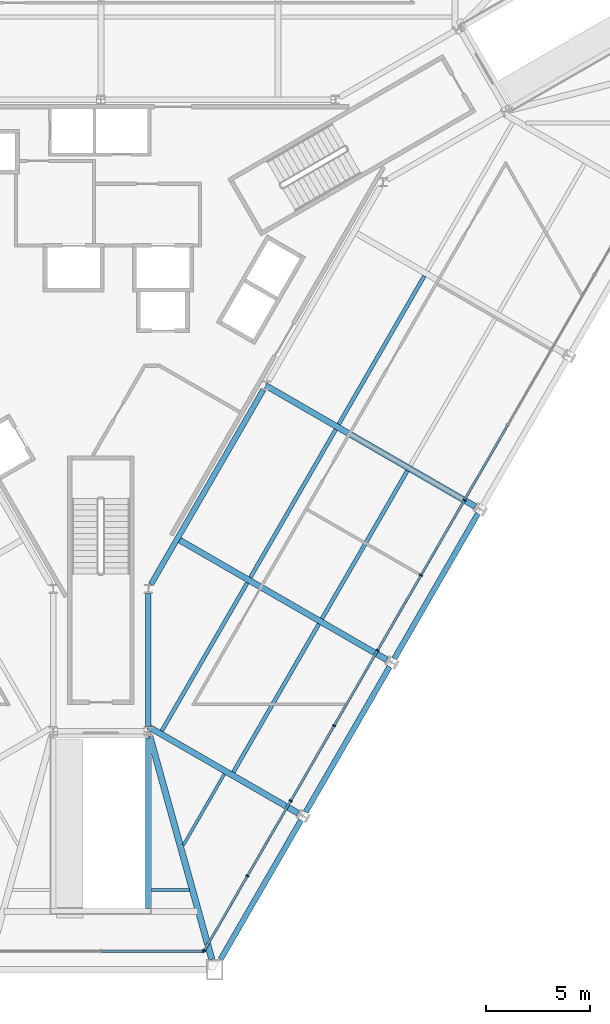
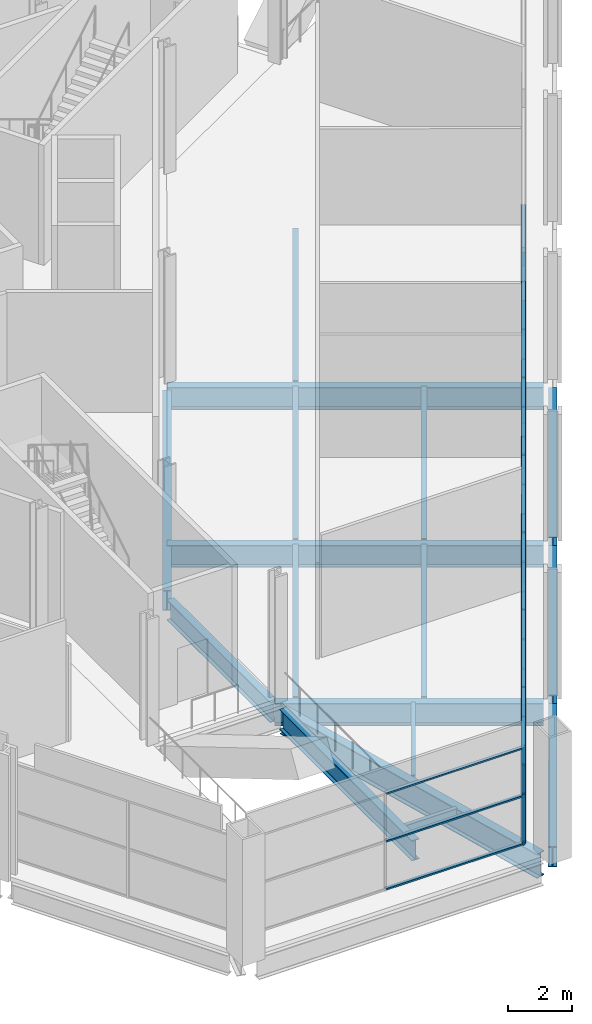
# One storey, part 4 of 18: 32 members, 17 beams, 2 elements without a shape of their own.
"""IFC4 building model written with IfcOpenShell, lengths in metres."""

from ifc_helpers import new_model, si_unit, direction, frame, origin, origin_2d, place, context, subcontext, project, spatial, rectangle, i_section, extrude, material, layer, layer_set, material_profile, profile_set, type_object, element, aggregate, save


model = new_model("IFC4")

# Units and contexts
model_context = context("Model", 3, precision=1e-05, world=origin(), true_north=direction((0.0, 1.0)))
body_context = subcontext(model_context, "Body", "Model", "MODEL_VIEW")
ifc_project = project(units=[si_unit("LENGTHUNIT", "METRE"), si_unit("AREAUNIT", "SQUARE_METRE"), si_unit("VOLUMEUNIT", "CUBIC_METRE"), si_unit("PLANEANGLEUNIT", "RADIAN"), si_unit("MASSUNIT", "GRAM", prefix="KILO")], contexts=[model_context])

# Site, building, storey
site_placement = place(None, origin())
site = spatial("IfcSite", under=ifc_project, at=site_placement, CompositionType="ELEMENT")
building_placement = place(site_placement, origin())
building = spatial("IfcBuilding", under=site, at=building_placement, Name="Verrane Prism Tower", CompositionType="ELEMENT")
storey_placement = place(building_placement, frame((0.0, 0.0, 22.39990234375)))
storey = spatial("IfcBuildingStorey", under=building, at=storey_placement, Name="L03", CompositionType="ELEMENT", Elevation=22.39990234375)

# Curtain wall, member
ifc_material_1 = material(Name="Aluminium and glass curtain wall", Category="aluminium")
ifc_layer = layer(ifc_material_1, 0.199951171875)
ifc_layer_set = layer_set([ifc_layer], Name="CWB-1 retail curtain wall")
curtain_wall_type = type_object("IfcCurtainWallType", Name="CWB-1 retail curtain wall", PredefinedType="NOTDEFINED", material=ifc_layer_set)
curtain_wall_1_placement = place(storey_placement, origin())
curtain_wall_1 = element("IfcCurtainWall", 1, at=curtain_wall_1_placement, inside=storey, type_object=curtain_wall_type, Name="Retail curtain wall L03 5", PredefinedType="NOTDEFINED")
ifc_material_2 = material(Name="Aluminium", Category="aluminium")
ifc_material_profile_1 = material_profile(ifc_material_2, rectangle(XDim=0.159912109375, YDim=0.06005859375, at=origin_2d()), Name="CWB-M 60x160 mullion")
ifc_profile_set_1 = profile_set([ifc_material_profile_1], Name="Aluminium")
member_type_1 = type_object("IfcMemberType", Name="CWB-M 60x160 mullion", PredefinedType="MULLION", material=ifc_profile_set_1)
member_1_placement = place(storey_placement, frame((4.950439453125, -31.913818359375, 0.0), z_axis=(0.0, 0.0, 1.0), x_axis=(0.0, 1.0, 0.0)))
member_1 = element("IfcMember", 2, at=member_1_placement, type_object=member_type_1, Name="CWB35 mullion 3", PredefinedType="MULLION", context=body_context, shape_type="SweptSolid", body=[
    extrude(rectangle(XDim=0.159912109375, YDim=0.06005859375, at=origin_2d()), origin(), (0.0, 0.0, 1.0), 3.690185546875),
])

# Curtain wall, members
curtain_wall_2_placement = place(storey_placement, origin())
curtain_wall_2 = element("IfcCurtainWall", 3, at=curtain_wall_2_placement, inside=storey, type_object=curtain_wall_type, Name="Retail curtain wall L03 6", PredefinedType="NOTDEFINED")
member_2_placement = place(storey_placement, frame((4.995361328125, -31.8876953125, 0.0), z_axis=(0.0, 0.0, 1.0), x_axis=(-0.866025335097, 0.50000011897, 0.0)))
member_2 = element("IfcMember", 4, at=member_2_placement, type_object=member_type_1, Name="CWB36 mullion 1", PredefinedType="MULLION", context=body_context, shape_type="SweptSolid", body=[
    extrude(rectangle(XDim=0.159912109375, YDim=0.06005859375, at=origin_2d()), origin(), (0.0, 0.0, 1.0), 3.690185546875),
])
member_3_placement = place(storey_placement, frame((7.075927734375, -28.283935546875, 0.0), z_axis=(0.0, 0.0, 1.0), x_axis=(-0.866025335097, 0.50000011897, 0.0)))
member_3 = element("IfcMember", 5, at=member_3_placement, type_object=member_type_1, Name="CWB36 mullion 2", PredefinedType="MULLION", context=body_context, shape_type="SweptSolid", body=[
    extrude(rectangle(XDim=0.159912109375, YDim=0.06005859375, at=origin_2d()), origin(), (0.0, 0.0, 1.0), 3.690185546875),
])
member_4_placement = place(storey_placement, frame((9.171630859375, -24.654052734375, 0.0), z_axis=(0.0, 0.0, 1.0), x_axis=(-0.866025335097, 0.50000011897, 0.0)))
member_4 = element("IfcMember", 6, at=member_4_placement, type_object=member_type_1, Name="CWB36 mullion 3", PredefinedType="MULLION", context=body_context, shape_type="SweptSolid", body=[
    extrude(rectangle(XDim=0.159912109375, YDim=0.06005859375, at=origin_2d()), origin(), (0.0, 0.0, 1.0), 3.690185546875),
])
member_5_placement = place(storey_placement, frame((11.267333984375, -21.0244140625, 0.0), z_axis=(0.0, 0.0, 1.0), x_axis=(-0.866025335097, 0.50000011897, 0.0)))
member_5 = element("IfcMember", 7, at=member_5_placement, type_object=member_type_1, Name="CWB36 mullion 4", PredefinedType="MULLION", context=body_context, shape_type="SweptSolid", body=[
    extrude(rectangle(XDim=0.159912109375, YDim=0.06005859375, at=origin_2d()), origin(), (0.0, 0.0, 1.0), 3.690185546875),
])
member_6_placement = place(storey_placement, frame((13.363037109375, -17.39453125, 0.0), z_axis=(0.0, 0.0, 1.0), x_axis=(-0.866025335097, 0.50000011897, 0.0)))
member_6 = element("IfcMember", 8, at=member_6_placement, type_object=member_type_1, Name="CWB36 mullion 5", PredefinedType="MULLION", context=body_context, shape_type="SweptSolid", body=[
    extrude(rectangle(XDim=0.159912109375, YDim=0.06005859375, at=origin_2d()), origin(), (0.0, 0.0, 1.0), 3.690185546875),
])
member_7_placement = place(storey_placement, frame((15.458740234375, -13.764892578125, 0.0), z_axis=(0.0, 0.0, 1.0), x_axis=(-0.866025335097, 0.50000011897, 0.0)))
member_7 = element("IfcMember", 9, at=member_7_placement, type_object=member_type_1, Name="CWB36 mullion 6", PredefinedType="MULLION", context=body_context, shape_type="SweptSolid", body=[
    extrude(rectangle(XDim=0.159912109375, YDim=0.06005859375, at=origin_2d()), origin(), (0.0, 0.0, 1.0), 3.690185546875),
])
member_8_placement = place(storey_placement, frame((17.554443359375, -10.135009765625, 0.0), z_axis=(0.0, 0.0, 1.0), x_axis=(-0.866025335097, 0.50000011897, 0.0)))
member_8 = element("IfcMember", 10, at=member_8_placement, type_object=member_type_1, Name="CWB36 mullion 7", PredefinedType="MULLION", context=body_context, shape_type="SweptSolid", body=[
    extrude(rectangle(XDim=0.159912109375, YDim=0.06005859375, at=origin_2d()), origin(), (0.0, 0.0, 1.0), 3.690185546875),
])

# Member
ifc_material_3 = material(Name="Aluminium", Category="aluminium")
ifc_material_profile_2 = material_profile(ifc_material_3, rectangle(XDim=0.1201171875, YDim=0.06005859375, at=origin_2d()), Name="CWB-T 60x120 transom")
ifc_profile_set_2 = profile_set([ifc_material_profile_2], Name="Aluminium")
member_type_2 = type_object("IfcMemberType", Name="CWB-T 60x120 transom", PredefinedType="USERDEFINED", material=ifc_profile_set_2)
member_9_placement = place(storey_placement, frame((0.030029296875, -31.913818359375, 0.030029296875), z_axis=(1.0, 0.0, 0.0), x_axis=(0.0, 1.0, 0.0)))
member_9 = element("IfcMember", 11, at=member_9_placement, type_object=member_type_2, Name="CWB35 transom 2.1", ObjectType="TRANSOM", PredefinedType="USERDEFINED", context=body_context, shape_type="SweptSolid", body=[
    extrude(rectangle(XDim=0.1201171875, YDim=0.06005859375, at=origin_2d()), origin(), (0.0, 0.0, 1.0), 4.890380859375),
])

member_10_placement = place(storey_placement, frame((0.030029296875, -31.913818359375, 1.84521484375), z_axis=(1.0, 0.0, 0.0), x_axis=(0.0, 1.0, 0.0)))
member_10 = element("IfcMember", 12, at=member_10_placement, type_object=member_type_2, Name="CWB35 transom 2.2", ObjectType="TRANSOM", PredefinedType="USERDEFINED", context=body_context, shape_type="SweptSolid", body=[
    extrude(rectangle(XDim=0.1201171875, YDim=0.06005859375, at=origin_2d()), origin(), (0.0, 0.0, 1.0), 4.890380859375),
])

member_11_placement = place(storey_placement, frame((0.030029296875, -31.913818359375, 3.66015625), z_axis=(1.0, 0.0, 0.0), x_axis=(0.0, 1.0, 0.0)))
member_11 = element("IfcMember", 13, at=member_11_placement, type_object=member_type_2, Name="CWB35 transom 2.3", ObjectType="TRANSOM", PredefinedType="USERDEFINED", context=body_context, shape_type="SweptSolid", body=[
    extrude(rectangle(XDim=0.1201171875, YDim=0.06005859375, at=origin_2d()), origin(), (0.0, 0.0, 1.0), 4.890380859375),
])

aggregate(curtain_wall_1, [member_1, member_9, member_10, member_11])

member_12_placement = place(storey_placement, frame((5.010498046875, -31.86181640625, 0.030029296875), z_axis=(0.499961200281, 0.866047803654, 0.0), x_axis=(-0.866047803654, 0.499961200281, 0.0)))
member_12 = element("IfcMember", 14, at=member_12_placement, type_object=member_type_2, Name="CWB36 transom 1.1", ObjectType="TRANSOM", PredefinedType="USERDEFINED", context=body_context, shape_type="SweptSolid", body=[
    extrude(rectangle(XDim=0.1201171875, YDim=0.06005859375, at=origin_2d()), origin(), (0.0, 0.0, 1.0), 4.101318359375),
])

member_13_placement = place(storey_placement, frame((5.010498046875, -31.86181640625, 1.84521484375), z_axis=(0.499961200281, 0.866047803654, 0.0), x_axis=(-0.866047803654, 0.499961200281, 0.0)))
member_13 = element("IfcMember", 15, at=member_13_placement, type_object=member_type_2, Name="CWB36 transom 1.2", ObjectType="TRANSOM", PredefinedType="USERDEFINED", context=body_context, shape_type="SweptSolid", body=[
    extrude(rectangle(XDim=0.1201171875, YDim=0.06005859375, at=origin_2d()), origin(), (0.0, 0.0, 1.0), 4.101318359375),
])

member_14_placement = place(storey_placement, frame((5.010498046875, -31.86181640625, 3.66015625), z_axis=(0.499961200281, 0.866047803654, 0.0), x_axis=(-0.866047803654, 0.499961200281, 0.0)))
member_14 = element("IfcMember", 16, at=member_14_placement, type_object=member_type_2, Name="CWB36 transom 1.3", ObjectType="TRANSOM", PredefinedType="USERDEFINED", context=body_context, shape_type="SweptSolid", body=[
    extrude(rectangle(XDim=0.1201171875, YDim=0.06005859375, at=origin_2d()), origin(), (0.0, 0.0, 1.0), 4.101318359375),
])

member_15_placement = place(storey_placement, frame((7.091064453125, -28.258056640625, 0.030029296875), z_axis=(0.499996977546, 0.866027148792, 0.0), x_axis=(-0.866027148792, 0.499996977546, 0.0)))
member_15 = element("IfcMember", 17, at=member_15_placement, type_object=member_type_2, Name="CWB36 transom 2.1", ObjectType="TRANSOM", PredefinedType="USERDEFINED", context=body_context, shape_type="SweptSolid", body=[
    extrude(rectangle(XDim=0.1201171875, YDim=0.06005859375, at=origin_2d()), origin(), (0.0, 0.0, 1.0), 4.13134765625),
])

member_16_placement = place(storey_placement, frame((7.091064453125, -28.258056640625, 1.84521484375), z_axis=(0.499996977546, 0.866027148792, 0.0), x_axis=(-0.866027148792, 0.499996977546, 0.0)))
member_16 = element("IfcMember", 18, at=member_16_placement, type_object=member_type_2, Name="CWB36 transom 2.2", ObjectType="TRANSOM", PredefinedType="USERDEFINED", context=body_context, shape_type="SweptSolid", body=[
    extrude(rectangle(XDim=0.1201171875, YDim=0.06005859375, at=origin_2d()), origin(), (0.0, 0.0, 1.0), 4.13134765625),
])

member_17_placement = place(storey_placement, frame((7.091064453125, -28.258056640625, 3.66015625), z_axis=(0.499996977546, 0.866027148792, 0.0), x_axis=(-0.866027148792, 0.499996977546, 0.0)))
member_17 = element("IfcMember", 19, at=member_17_placement, type_object=member_type_2, Name="CWB36 transom 2.3", ObjectType="TRANSOM", PredefinedType="USERDEFINED", context=body_context, shape_type="SweptSolid", body=[
    extrude(rectangle(XDim=0.1201171875, YDim=0.06005859375, at=origin_2d()), origin(), (0.0, 0.0, 1.0), 4.13134765625),
])

member_18_placement = place(storey_placement, frame((9.186767578125, -24.628173828125, 0.030029296875), z_axis=(0.499996977546, 0.866027148792, 0.0), x_axis=(-0.866027148792, 0.499996977546, 0.0)))
member_18 = element("IfcMember", 20, at=member_18_placement, type_object=member_type_2, Name="CWB36 transom 3.1", ObjectType="TRANSOM", PredefinedType="USERDEFINED", context=body_context, shape_type="SweptSolid", body=[
    extrude(rectangle(XDim=0.1201171875, YDim=0.06005859375, at=origin_2d()), origin(), (0.0, 0.0, 1.0), 4.13134765625),
])

member_19_placement = place(storey_placement, frame((9.186767578125, -24.628173828125, 1.84521484375), z_axis=(0.499996977546, 0.866027148792, 0.0), x_axis=(-0.866027148792, 0.499996977546, 0.0)))
member_19 = element("IfcMember", 21, at=member_19_placement, type_object=member_type_2, Name="CWB36 transom 3.2", ObjectType="TRANSOM", PredefinedType="USERDEFINED", context=body_context, shape_type="SweptSolid", body=[
    extrude(rectangle(XDim=0.1201171875, YDim=0.06005859375, at=origin_2d()), origin(), (0.0, 0.0, 1.0), 4.13134765625),
])

member_20_placement = place(storey_placement, frame((9.186767578125, -24.628173828125, 3.66015625), z_axis=(0.499996977546, 0.866027148792, 0.0), x_axis=(-0.866027148792, 0.499996977546, 0.0)))
member_20 = element("IfcMember", 22, at=member_20_placement, type_object=member_type_2, Name="CWB36 transom 3.3", ObjectType="TRANSOM", PredefinedType="USERDEFINED", context=body_context, shape_type="SweptSolid", body=[
    extrude(rectangle(XDim=0.1201171875, YDim=0.06005859375, at=origin_2d()), origin(), (0.0, 0.0, 1.0), 4.13134765625),
])

member_21_placement = place(storey_placement, frame((11.282470703125, -20.998291015625, 0.030029296875), z_axis=(0.499978243488, 0.866037964548, 0.0), x_axis=(-0.866037964548, 0.499978243488, 0.0)))
member_21 = element("IfcMember", 23, at=member_21_placement, type_object=member_type_2, Name="CWB36 transom 4.1", ObjectType="TRANSOM", PredefinedType="USERDEFINED", context=body_context, shape_type="SweptSolid", body=[
    extrude(rectangle(XDim=0.1201171875, YDim=0.06005859375, at=origin_2d()), origin(), (0.0, 0.0, 1.0), 4.131103515625),
])

member_22_placement = place(storey_placement, frame((11.282470703125, -20.998291015625, 1.84521484375), z_axis=(0.499978243488, 0.866037964548, 0.0), x_axis=(-0.866037964548, 0.499978243488, 0.0)))
member_22 = element("IfcMember", 24, at=member_22_placement, type_object=member_type_2, Name="CWB36 transom 4.2", ObjectType="TRANSOM", PredefinedType="USERDEFINED", context=body_context, shape_type="SweptSolid", body=[
    extrude(rectangle(XDim=0.1201171875, YDim=0.06005859375, at=origin_2d()), origin(), (0.0, 0.0, 1.0), 4.131103515625),
])

member_23_placement = place(storey_placement, frame((11.282470703125, -20.998291015625, 3.66015625), z_axis=(0.499978243488, 0.866037964548, 0.0), x_axis=(-0.866037964548, 0.499978243488, 0.0)))
member_23 = element("IfcMember", 25, at=member_23_placement, type_object=member_type_2, Name="CWB36 transom 4.3", ObjectType="TRANSOM", PredefinedType="USERDEFINED", context=body_context, shape_type="SweptSolid", body=[
    extrude(rectangle(XDim=0.1201171875, YDim=0.06005859375, at=origin_2d()), origin(), (0.0, 0.0, 1.0), 4.131103515625),
])

member_24_placement = place(storey_placement, frame((13.3779296875, -17.36865234375, 0.030029296875), z_axis=(0.499996977546, 0.866027148792, 0.0), x_axis=(-0.866027148792, 0.499996977546, 0.0)))
member_24 = element("IfcMember", 26, at=member_24_placement, type_object=member_type_2, Name="CWB36 transom 5.1", ObjectType="TRANSOM", PredefinedType="USERDEFINED", context=body_context, shape_type="SweptSolid", body=[
    extrude(rectangle(XDim=0.1201171875, YDim=0.06005859375, at=origin_2d()), origin(), (0.0, 0.0, 1.0), 4.13134765625),
])

member_25_placement = place(storey_placement, frame((13.3779296875, -17.36865234375, 1.84521484375), z_axis=(0.499996977546, 0.866027148792, 0.0), x_axis=(-0.866027148792, 0.499996977546, 0.0)))
member_25 = element("IfcMember", 27, at=member_25_placement, type_object=member_type_2, Name="CWB36 transom 5.2", ObjectType="TRANSOM", PredefinedType="USERDEFINED", context=body_context, shape_type="SweptSolid", body=[
    extrude(rectangle(XDim=0.1201171875, YDim=0.06005859375, at=origin_2d()), origin(), (0.0, 0.0, 1.0), 4.13134765625),
])

member_26_placement = place(storey_placement, frame((13.3779296875, -17.36865234375, 3.66015625), z_axis=(0.499996977546, 0.866027148792, 0.0), x_axis=(-0.866027148792, 0.499996977546, 0.0)))
member_26 = element("IfcMember", 28, at=member_26_placement, type_object=member_type_2, Name="CWB36 transom 5.3", ObjectType="TRANSOM", PredefinedType="USERDEFINED", context=body_context, shape_type="SweptSolid", body=[
    extrude(rectangle(XDim=0.1201171875, YDim=0.06005859375, at=origin_2d()), origin(), (0.0, 0.0, 1.0), 4.13134765625),
])

member_27_placement = place(storey_placement, frame((15.4736328125, -13.73876953125, 0.030029296875), z_axis=(0.499996977546, 0.866027148792, 0.0), x_axis=(-0.866027148792, 0.499996977546, 0.0)))
member_27 = element("IfcMember", 29, at=member_27_placement, type_object=member_type_2, Name="CWB36 transom 6.1", ObjectType="TRANSOM", PredefinedType="USERDEFINED", context=body_context, shape_type="SweptSolid", body=[
    extrude(rectangle(XDim=0.1201171875, YDim=0.06005859375, at=origin_2d()), origin(), (0.0, 0.0, 1.0), 4.13134765625),
])

member_28_placement = place(storey_placement, frame((15.4736328125, -13.73876953125, 1.84521484375), z_axis=(0.499996977546, 0.866027148792, 0.0), x_axis=(-0.866027148792, 0.499996977546, 0.0)))
member_28 = element("IfcMember", 30, at=member_28_placement, type_object=member_type_2, Name="CWB36 transom 6.2", ObjectType="TRANSOM", PredefinedType="USERDEFINED", context=body_context, shape_type="SweptSolid", body=[
    extrude(rectangle(XDim=0.1201171875, YDim=0.06005859375, at=origin_2d()), origin(), (0.0, 0.0, 1.0), 4.13134765625),
])

member_29_placement = place(storey_placement, frame((15.4736328125, -13.73876953125, 3.66015625), z_axis=(0.499996977546, 0.866027148792, 0.0), x_axis=(-0.866027148792, 0.499996977546, 0.0)))
member_29 = element("IfcMember", 31, at=member_29_placement, type_object=member_type_2, Name="CWB36 transom 6.3", ObjectType="TRANSOM", PredefinedType="USERDEFINED", context=body_context, shape_type="SweptSolid", body=[
    extrude(rectangle(XDim=0.1201171875, YDim=0.06005859375, at=origin_2d()), origin(), (0.0, 0.0, 1.0), 4.13134765625),
])

member_30_placement = place(storey_placement, frame((17.5693359375, -10.109130859375, 0.030029296875), z_axis=(0.499996977546, 0.866027148792, 0.0), x_axis=(-0.866027148792, 0.499996977546, 0.0)))
member_30 = element("IfcMember", 32, at=member_30_placement, type_object=member_type_2, Name="CWB36 transom 7.1", ObjectType="TRANSOM", PredefinedType="USERDEFINED", context=body_context, shape_type="SweptSolid", body=[
    extrude(rectangle(XDim=0.1201171875, YDim=0.06005859375, at=origin_2d()), origin(), (0.0, 0.0, 1.0), 4.13134765625),
])

member_31_placement = place(storey_placement, frame((17.5693359375, -10.109130859375, 1.84521484375), z_axis=(0.499996977546, 0.866027148792, 0.0), x_axis=(-0.866027148792, 0.499996977546, 0.0)))
member_31 = element("IfcMember", 33, at=member_31_placement, type_object=member_type_2, Name="CWB36 transom 7.2", ObjectType="TRANSOM", PredefinedType="USERDEFINED", context=body_context, shape_type="SweptSolid", body=[
    extrude(rectangle(XDim=0.1201171875, YDim=0.06005859375, at=origin_2d()), origin(), (0.0, 0.0, 1.0), 4.13134765625),
])

member_32_placement = place(storey_placement, frame((17.5693359375, -10.109130859375, 3.66015625), z_axis=(0.499996977546, 0.866027148792, 0.0), x_axis=(-0.866027148792, 0.499996977546, 0.0)))
member_32 = element("IfcMember", 34, at=member_32_placement, type_object=member_type_2, Name="CWB36 transom 7.3", ObjectType="TRANSOM", PredefinedType="USERDEFINED", context=body_context, shape_type="SweptSolid", body=[
    extrude(rectangle(XDim=0.1201171875, YDim=0.06005859375, at=origin_2d()), origin(), (0.0, 0.0, 1.0), 4.13134765625),
])

aggregate(curtain_wall_2, [member_2, member_3, member_4, member_5, member_6, member_7, member_8, member_12, member_13, member_14, member_15, member_16, member_17, member_18, member_19, member_20, member_21, member_22, member_23, member_24, member_25, member_26, member_27, member_28, member_29, member_30, member_31, member_32])

# Beams
ifc_material_4 = material(Name="Steel A992", Category="steel")
ifc_material_profile_3 = material_profile(ifc_material_4, i_section(OverallWidth=0.2666015625, OverallDepth=0.76708984375, WebThickness=0.014892578125, FlangeThickness=0.023681640625, FilletRadius=0.0166015625, at=origin_2d()), Name="W30x124")
ifc_profile_set_3 = profile_set([ifc_material_profile_3], Name="Steel A992")
beam_type_1 = type_object("IfcBeamType", Name="Core ring girder W30x124", PredefinedType="BEAM", material=ifc_profile_set_3)
beam_1_placement = place(storey_placement, frame((2.300048828125, -21.0625, -0.63330078125), z_axis=(0.0, 1.0, 0.0), x_axis=(-1.0, 0.0, 0.0)))
element("IfcBeam", 35, at=beam_1_placement, inside=storey, type_object=beam_type_1, Name="Core ring girder L03", PredefinedType="BEAM", context=body_context, shape_type="SweptSolid", body=[
    extrude(i_section(OverallWidth=0.2666015625, OverallDepth=0.76708984375, WebThickness=0.014892578125, FlangeThickness=0.023681640625, FilletRadius=0.0166015625, at=origin_2d()), origin(), (0.0, 0.0, 1.0), 6.42529296875),
])
beam_2_placement = place(storey_placement, frame((2.42529296875, -14.202880859375, -0.63330078125), z_axis=(0.500022744667, 0.866012271747, 0.0), x_axis=(-0.866012271747, 0.500022744667, 0.0)))
element("IfcBeam", 36, at=beam_2_placement, inside=storey, type_object=beam_type_1, Name="Core ring girder L03", PredefinedType="BEAM", context=body_context, shape_type="SweptSolid", body=[
    extrude(i_section(OverallWidth=0.2666015625, OverallDepth=0.76708984375, WebThickness=0.014892578125, FlangeThickness=0.023681640625, FilletRadius=0.0166015625, at=origin_2d()), origin(), (0.0, 0.0, 1.0), 10.837890625),
])
ifc_material_5 = material(Name="Steel A992", Category="steel")
ifc_material_profile_4 = material_profile(ifc_material_5, i_section(OverallWidth=0.307373046875, OverallDepth=0.927001953125, WebThickness=0.01953125, FlangeThickness=0.031982421875, FilletRadius=0.01904296875, at=origin_2d()), Name="W36x194")
ifc_profile_set_4 = profile_set([ifc_material_profile_4], Name="Steel A992")
beam_type_2 = type_object("IfcBeamType", Name="Corner girder W36x194", PredefinedType="BEAM", material=ifc_profile_set_4)
beam_3_placement = place(storey_placement, frame((5.361083984375, -32.31005859375, -0.68359375), z_axis=(-0.267873594468, 0.963454066049, 0.0), x_axis=(-0.963454066049, -0.267873594468, 0.0)))
element("IfcBeam", 37, at=beam_3_placement, inside=storey, type_object=beam_type_2, Name="Corner girder L03", PredefinedType="BEAM", context=body_context, shape_type="SweptSolid", body=[
    extrude(i_section(OverallWidth=0.307373046875, OverallDepth=0.927001953125, WebThickness=0.01953125, FlangeThickness=0.031982421875, FilletRadius=0.01904296875, at=origin_2d()), origin(), (0.0, 0.0, 1.0), 11.18115234375),
])
ifc_material_6 = material(Name="Steel A992", Category="steel")
ifc_material_profile_5 = material_profile(ifc_material_6, i_section(OverallWidth=0.140380859375, OverallDepth=0.40380859375, WebThickness=0.007080078125, FlangeThickness=0.01123046875, FilletRadius=0.01025390625, at=origin_2d()), Name="W16x31")
ifc_profile_set_5 = profile_set([ifc_material_profile_5], Name="Steel A992")
beam_type_3 = type_object("IfcBeamType", Name="Floor beam W16x31", PredefinedType="BEAM", material=ifc_profile_set_5)
beam_4_placement = place(storey_placement, frame((3.9873046875, -26.795654296875, -0.36181640625), z_axis=(0.499978641112, 0.866037734993, 0.0), x_axis=(-0.866037734993, 0.499978641112, 0.0)))
element("IfcBeam", 38, at=beam_4_placement, inside=storey, type_object=beam_type_3, Name="Floor beam L03", PredefinedType="BEAM", context=body_context, shape_type="SweptSolid", body=[
    extrude(i_section(OverallWidth=0.140380859375, OverallDepth=0.40380859375, WebThickness=0.007080078125, FlangeThickness=0.01123046875, FilletRadius=0.01025390625, at=origin_2d()), origin(), (0.0, 0.0, 1.0), 3.959716796875),
])
beam_5_placement = place(storey_placement, frame((2.43359375, -28.973388671875, -0.36181640625), z_axis=(1.0, 0.0, 0.0), x_axis=(0.0, 1.0, 0.0)))
element("IfcBeam", 39, at=beam_5_placement, inside=storey, type_object=beam_type_3, Name="Floor beam L03", PredefinedType="BEAM", context=body_context, shape_type="SweptSolid", body=[
    extrude(i_section(OverallWidth=0.140380859375, OverallDepth=0.40380859375, WebThickness=0.007080078125, FlangeThickness=0.01123046875, FilletRadius=0.01025390625, at=origin_2d()), origin(), (0.0, 0.0, 1.0), 1.84033203125),
])
ifc_material_7 = material(Name="Steel A992", Category="steel")
ifc_material_profile_6 = material_profile(ifc_material_7, i_section(OverallWidth=0.1904296875, OverallDepth=0.457275390625, WebThickness=0.009033203125, FlangeThickness=0.014404296875, FilletRadius=0.01025390625, at=origin_2d()), Name="W18x50")
ifc_profile_set_6 = profile_set([ifc_material_profile_6], Name="Steel A992")
beam_type_4 = type_object("IfcBeamType", Name="Floor beam W18x50", PredefinedType="BEAM", material=ifc_profile_set_6)
beam_6_placement = place(storey_placement, frame((6.39892578125, -23.27880859375, -0.388427734375), z_axis=(0.499996977546, 0.866027148792, 0.0), x_axis=(-0.866027148792, 0.499996977546, 0.0)))
element("IfcBeam", 40, at=beam_6_placement, inside=storey, type_object=beam_type_4, Name="Floor beam L03", PredefinedType="BEAM", context=body_context, shape_type="SweptSolid", body=[
    extrude(i_section(OverallWidth=0.1904296875, OverallDepth=0.457275390625, WebThickness=0.009033203125, FlangeThickness=0.014404296875, FilletRadius=0.01025390625, at=origin_2d()), origin(), (0.0, 0.0, 1.0), 8.2626953125),
])
beam_7_placement = place(storey_placement, frame((2.943603515625, -21.283203125, -0.388427734375), z_axis=(0.500014123243, 0.866017249573, 0.0), x_axis=(-0.866017249573, 0.500014123243, 0.0)))
element("IfcBeam", 41, at=beam_7_placement, inside=storey, type_object=beam_type_4, Name="Floor beam L03", PredefinedType="BEAM", context=body_context, shape_type="SweptSolid", body=[
    extrude(i_section(OverallWidth=0.1904296875, OverallDepth=0.457275390625, WebThickness=0.009033203125, FlangeThickness=0.014404296875, FilletRadius=0.01025390625, at=origin_2d()), origin(), (0.0, 0.0, 1.0), 8.260009765625),
])
beam_8_placement = place(storey_placement, frame((10.67626953125, -15.8701171875, -0.388427734375), z_axis=(0.500010949126, 0.866019082211, 0.0), x_axis=(-0.866019082211, 0.500010949126, 0.0)))
element("IfcBeam", 42, at=beam_8_placement, inside=storey, type_object=beam_type_4, Name="Floor beam L03", PredefinedType="BEAM", context=body_context, shape_type="SweptSolid", body=[
    extrude(i_section(OverallWidth=0.1904296875, OverallDepth=0.457275390625, WebThickness=0.009033203125, FlangeThickness=0.014404296875, FilletRadius=0.01025390625, at=origin_2d()), origin(), (0.0, 0.0, 1.0), 8.253173828125),
])
beam_9_placement = place(storey_placement, frame((7.2197265625, -13.876953125, -0.388427734375), z_axis=(0.499987846292, 0.866032420617, 0.0), x_axis=(-0.866032420617, 0.499987846292, 0.0)))
element("IfcBeam", 43, at=beam_9_placement, inside=storey, type_object=beam_type_4, Name="Floor beam L03", PredefinedType="BEAM", context=body_context, shape_type="SweptSolid", body=[
    extrude(i_section(OverallWidth=0.1904296875, OverallDepth=0.457275390625, WebThickness=0.009033203125, FlangeThickness=0.014404296875, FilletRadius=0.01025390625, at=origin_2d()), origin(), (0.0, 0.0, 1.0), 8.255126953125),
])
beam_10_placement = place(storey_placement, frame((11.48974609375, -6.47314453125, -0.388427734375), z_axis=(0.500010437756, 0.866019377459, 0.0), x_axis=(-0.866019377459, 0.500010437756, 0.0)))
element("IfcBeam", 44, at=beam_10_placement, inside=storey, type_object=beam_type_4, Name="Floor beam L03", PredefinedType="BEAM", context=body_context, shape_type="SweptSolid", body=[
    extrude(i_section(OverallWidth=0.1904296875, OverallDepth=0.457275390625, WebThickness=0.009033203125, FlangeThickness=0.014404296875, FilletRadius=0.01025390625, at=origin_2d()), origin(), (0.0, 0.0, 1.0), 8.267822265625),
])
ifc_material_8 = material(Name="Steel A992", Category="steel")
ifc_material_profile_7 = material_profile(ifc_material_8, i_section(OverallWidth=0.2919921875, OverallDepth=0.845703125, WebThickness=0.015380859375, FlangeThickness=0.0244140625, FilletRadius=0.017822265625, at=origin_2d()), Name="W33x141")
ifc_profile_set_7 = profile_set([ifc_material_profile_7], Name="Steel A992")
beam_type_5 = type_object("IfcBeamType", Name="Radial girder W33x141", PredefinedType="BEAM", material=ifc_profile_set_7)
beam_11_placement = place(storey_placement, frame((9.53369140625, -25.2578125, -0.642822265625), z_axis=(-0.866016684991, 0.500015101088, 0.0), x_axis=(-0.500015101088, -0.866016684991, 0.0)))
element("IfcBeam", 45, at=beam_11_placement, inside=storey, type_object=beam_type_5, Name="Radial girder L03", PredefinedType="BEAM", context=body_context, shape_type="SweptSolid", body=[
    extrude(i_section(OverallWidth=0.2919921875, OverallDepth=0.845703125, WebThickness=0.015380859375, FlangeThickness=0.0244140625, FilletRadius=0.017822265625, at=origin_2d()), origin(), (0.0, 0.0, 1.0), 8.352783203125),
])
beam_12_placement = place(storey_placement, frame((13.813720703125, -17.847900390625, -0.642822265625), z_axis=(-0.866026929639, 0.499997357134, 0.0), x_axis=(-0.499997357134, -0.866026929639, 0.0)))
element("IfcBeam", 46, at=beam_12_placement, inside=storey, type_object=beam_type_5, Name="Radial girder L03", PredefinedType="BEAM", context=body_context, shape_type="SweptSolid", body=[
    extrude(i_section(OverallWidth=0.2919921875, OverallDepth=0.845703125, WebThickness=0.015380859375, FlangeThickness=0.0244140625, FilletRadius=0.017822265625, at=origin_2d()), origin(), (0.0, 0.0, 1.0), 11.68505859375),
])
beam_13_placement = place(storey_placement, frame((18.08349609375, -10.44775390625, -0.642822265625), z_axis=(-0.866019930389, 0.500009480079, 0.0), x_axis=(-0.500009480079, -0.866019930389, 0.0)))
element("IfcBeam", 47, at=beam_13_placement, inside=storey, type_object=beam_type_5, Name="Radial girder L03", PredefinedType="BEAM", context=body_context, shape_type="SweptSolid", body=[
    extrude(i_section(OverallWidth=0.2919921875, OverallDepth=0.845703125, WebThickness=0.015380859375, FlangeThickness=0.0244140625, FilletRadius=0.017822265625, at=origin_2d()), origin(), (0.0, 0.0, 1.0), 11.682373046875),
])
ifc_material_9 = material(Name="Steel A992", Category="steel")
ifc_material_profile_8 = material_profile(ifc_material_9, i_section(OverallWidth=0.2666015625, OverallDepth=0.76708984375, WebThickness=0.014892578125, FlangeThickness=0.023681640625, FilletRadius=0.0166015625, at=origin_2d()), Name="W30x124")
ifc_profile_set_8 = profile_set([ifc_material_profile_8], Name="Steel A992")
beam_type_6 = type_object("IfcBeamType", Name="Slab edge girder W30x124", PredefinedType="BEAM", material=ifc_profile_set_8)
beam_14_placement = place(storey_placement, frame((2.300048828125, -29.860107421875, -0.54345703125), z_axis=(0.0, 1.0, 0.0), x_axis=(-1.0, 0.0, 0.0)))
element("IfcBeam", 48, at=beam_14_placement, inside=storey, type_object=beam_type_6, Name="Slab edge girder L03", PredefinedType="BEAM", context=body_context, shape_type="SweptSolid", body=[
    extrude(i_section(OverallWidth=0.2666015625, OverallDepth=0.76708984375, WebThickness=0.014892578125, FlangeThickness=0.023681640625, FilletRadius=0.0166015625, at=origin_2d()), origin(), (0.0, 0.0, 1.0), 8.230224609375),
])
ifc_material_10 = material(Name="Steel A992", Category="steel")
ifc_material_profile_9 = material_profile(ifc_material_10, i_section(OverallWidth=0.2666015625, OverallDepth=0.76708984375, WebThickness=0.014892578125, FlangeThickness=0.023681640625, FilletRadius=0.0166015625, at=origin_2d()), Name="W30x124")
ifc_profile_set_9 = profile_set([ifc_material_profile_9], Name="Steel A992")
beam_type_7 = type_object("IfcBeamType", Name="Spandrel beam W30x124", PredefinedType="SPANDREL", material=ifc_profile_set_9)
beam_15_placement = place(storey_placement, frame((5.788818359375, -32.31005859375, -0.54345703125), z_axis=(0.500155868966, 0.865935394091, 0.0), x_axis=(-0.865935394091, 0.500155868966, 0.0)))
element("IfcBeam", 49, at=beam_15_placement, inside=storey, type_object=beam_type_7, Name="Spandrel beam L03", PredefinedType="SPANDREL", context=body_context, shape_type="SweptSolid", body=[
    extrude(i_section(OverallWidth=0.2666015625, OverallDepth=0.76708984375, WebThickness=0.014892578125, FlangeThickness=0.023681640625, FilletRadius=0.0166015625, at=origin_2d()), origin(), (0.0, 0.0, 1.0), 7.75244140625),
])
beam_16_placement = place(storey_placement, frame((9.893798828125, -25.203125, -0.54345703125), z_axis=(0.500160624136, 0.865932647533, 0.0), x_axis=(-0.865932647533, 0.500160624136, 0.0)))
element("IfcBeam", 50, at=beam_16_placement, inside=storey, type_object=beam_type_7, Name="Spandrel beam L03", PredefinedType="SPANDREL", context=body_context, shape_type="SweptSolid", body=[
    extrude(i_section(OverallWidth=0.2666015625, OverallDepth=0.76708984375, WebThickness=0.014892578125, FlangeThickness=0.023681640625, FilletRadius=0.0166015625, at=origin_2d()), origin(), (0.0, 0.0, 1.0), 8.102294921875),
])
beam_17_placement = place(storey_placement, frame((14.173583984375, -17.793212890625, -0.54345703125), z_axis=(0.499778193066, 0.86615342621, 0.0), x_axis=(-0.86615342621, 0.499778193066, 0.0)))
element("IfcBeam", 51, at=beam_17_placement, inside=storey, type_object=beam_type_7, Name="Spandrel beam L03", PredefinedType="SPANDREL", context=body_context, shape_type="SweptSolid", body=[
    extrude(i_section(OverallWidth=0.2666015625, OverallDepth=0.76708984375, WebThickness=0.014892578125, FlangeThickness=0.023681640625, FilletRadius=0.0166015625, at=origin_2d()), origin(), (0.0, 0.0, 1.0), 8.089111328125),
])

save(model, "model.ifc")
